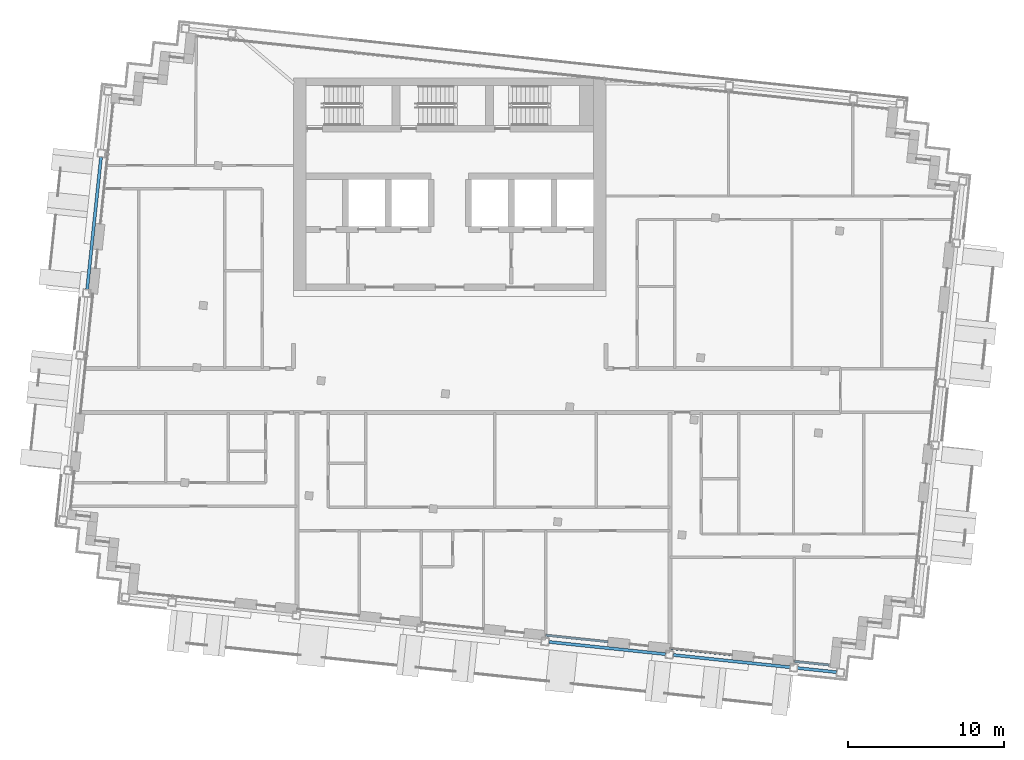
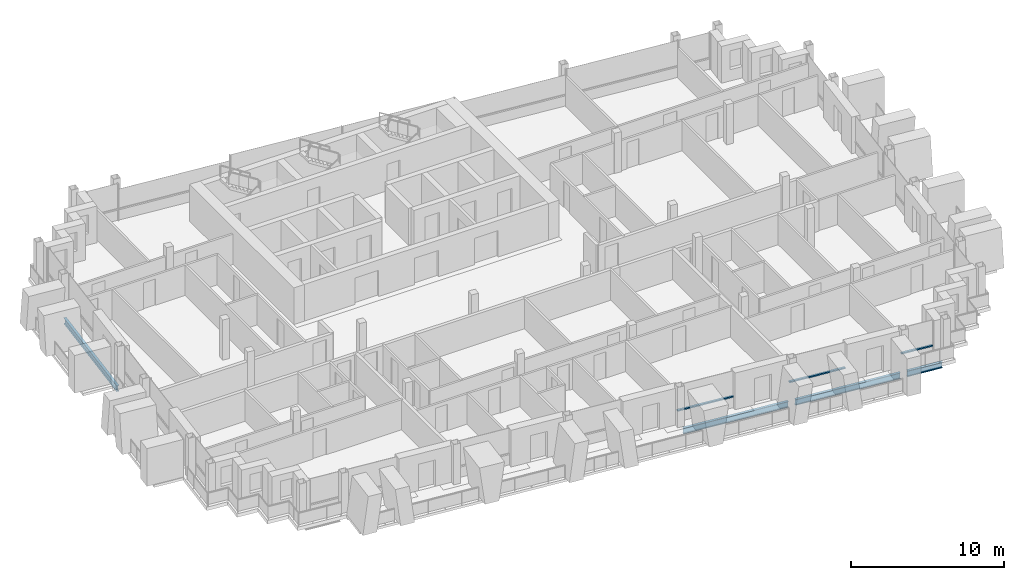
# One storey, part 3 of 16: 4 beams, 3 members, 3 elements without a shape of their own.
"""IFC4 building model written with IfcOpenShell, lengths in metres."""

from ifc_helpers import new_model, si_unit, direction, frame, origin, origin_2d, place, context, subcontext, project, spatial, rectangle, i_section, extrude, material, material_profile, profile_set, type_object, element, aggregate, save


model = new_model("IFC4")

# Units and contexts
model_context = context("Model", 3, precision=1e-05, world=origin(), true_north=direction((0.0, 1.0)))
body_context = subcontext(model_context, "Body", "Model", "MODEL_VIEW")
ifc_project = project(units=[si_unit("LENGTHUNIT", "METRE"), si_unit("AREAUNIT", "SQUARE_METRE"), si_unit("VOLUMEUNIT", "CUBIC_METRE"), si_unit("PLANEANGLEUNIT", "RADIAN"), si_unit("MASSUNIT", "GRAM", prefix="KILO")], contexts=[model_context])

# Site, building, storey
site_placement = place(None, origin())
site = spatial("IfcSite", under=ifc_project, at=site_placement, CompositionType="ELEMENT")
building_placement = place(site_placement, origin())
building = spatial("IfcBuilding", under=site, at=building_placement, Name="Vidyagriha Tower", CompositionType="ELEMENT")
storey_placement = place(building_placement, frame((0.0, 0.0, 253.10009765625)))
storey = spatial("IfcBuildingStorey", under=building, at=storey_placement, Name="L65", CompositionType="ELEMENT", Elevation=253.10009765625)

# Beams
ifc_material_1 = material(Name="Steel ASTM A992 Grade 50", Category="steel")
ifc_material_profile_1 = material_profile(ifc_material_1, i_section(OverallWidth=0.19189453125, OverallDepth=0.46240234375, WebThickness=0.010498046875, FlangeThickness=0.017578125, at=origin_2d()), Name="W18X60")
ifc_profile_set_1 = profile_set([ifc_material_profile_1], Name="Steel ASTM A992 Grade 50")
beam_type = type_object("IfcBeamType", Name="Edge beam W18X60", PredefinedType="SPANDREL", material=ifc_profile_set_1)
for number, where, z_axis, x_axis, name in (
    (1, (6.3486328125, -16.091064453125, -0.51123046875), (0.994522384662, -0.104523807841, 0.0), (0.104523807841, 0.994522384662, 0.0), "st-beam-L65-S05"),
    (2, (14.304931640625, -16.92724609375, -0.51123046875), (0.994522384662, -0.104523807841, 0.0), (0.104523807841, 0.994522384662, 0.0), "st-beam-L65-S06"),
):
    element("IfcBeam", number, at=place(storey_placement, frame(where, z_axis=z_axis, x_axis=x_axis)), inside=storey, type_object=beam_type, Name=name, PredefinedType="SPANDREL", context=body_context, shape_type="SweptSolid", body=[
        extrude(i_section(OverallWidth=0.19189453125, OverallDepth=0.46240234375, WebThickness=0.010498046875, FlangeThickness=0.017578125, at=origin_2d()), origin(), (0.0, 0.0, 1.0), 7.5),
    ])
beam_1_placement = place(storey_placement, frame((22.260986328125, -17.763427734375, -0.51123046875), z_axis=(0.994515615024, -0.104588199498, 0.0), x_axis=(0.104588199498, 0.994515615024, 0.0)))
element("IfcBeam", 3, at=beam_1_placement, inside=storey, type_object=beam_type, Name="st-beam-L65-S07", PredefinedType="SPANDREL", context=body_context, shape_type="SweptSolid", body=[
    extrude(i_section(OverallWidth=0.19189453125, OverallDepth=0.46240234375, WebThickness=0.010498046875, FlangeThickness=0.017578125, at=origin_2d()), origin(), (0.0, 0.0, 1.0), 2.5),
])
beam_2_placement = place(storey_placement, frame((-23.20458984375, 6.4716796875, -0.51123046875), z_axis=(0.104518825829, 0.994522908257, 0.0), x_axis=(-0.994522908257, 0.104518825829, 0.0)))
element("IfcBeam", 4, at=beam_2_placement, inside=storey, type_object=beam_type, Name="st-beam-L65-W11", PredefinedType="SPANDREL", context=body_context, shape_type="SweptSolid", body=[
    extrude(i_section(OverallWidth=0.19189453125, OverallDepth=0.46240234375, WebThickness=0.010498046875, FlangeThickness=0.017578125, at=origin_2d()), origin(), (0.0, 0.0, 1.0), 8.500244140625),
])

# Curtain wall, member
ifc_material_2 = material(Name="Aluminium and glass curtain wall", Category="aluminium")
curtain_wall_type = type_object("IfcCurtainWallType", Name="Dwelling skin unitised curtain wall", PredefinedType="USERDEFINED", material=ifc_material_2)
curtain_wall_1_placement = place(storey_placement, origin())
curtain_wall_1 = element("IfcCurtainWall", 5, at=curtain_wall_1_placement, inside=storey, type_object=curtain_wall_type, Name="CW1 dwelling skin", ObjectType="UNITISED", PredefinedType="USERDEFINED")
ifc_material_3 = material(Name="Aluminium black anodised", Category="aluminium")
ifc_material_profile_2 = material_profile(ifc_material_3, rectangle(XDim=0.159912109375, YDim=0.10009765625, at=origin_2d()), Name="Transom 100x160 black aluminium")
ifc_profile_set_2 = profile_set([ifc_material_profile_2], Name="Aluminium black anodised")
member_type = type_object("IfcMemberType", Name="Transom 100x160 black aluminium", PredefinedType="USERDEFINED", material=ifc_profile_set_2)
member_1_placement = place(storey_placement, frame((6.141845703125, -15.6669921875, 0.89990234375), z_axis=(0.99451982373, -0.104548171712, 0.0), x_axis=(0.104548171712, 0.99451982373, 0.0)))
member_1 = element("IfcMember", 6, at=member_1_placement, type_object=member_type, Name="CW1 transom 1.1", ObjectType="TRANSOM", PredefinedType="USERDEFINED", context=body_context, shape_type="SweptSolid", body=[
    extrude(rectangle(XDim=0.159912109375, YDim=0.10009765625, at=origin_2d()), origin(), (0.0, 0.0, 1.0), 4.000244140625),
])
aggregate(curtain_wall_1, [member_1])

curtain_wall_2_placement = place(storey_placement, origin())
curtain_wall_2 = element("IfcCurtainWall", 7, at=curtain_wall_2_placement, inside=storey, type_object=curtain_wall_type, Name="CW1 dwelling skin", ObjectType="UNITISED", PredefinedType="USERDEFINED")
member_2_placement = place(storey_placement, frame((14.09814453125, -16.50341796875, 0.89990234375), z_axis=(0.99452550138, -0.104494148666, 0.0), x_axis=(0.104494148666, 0.99452550138, 0.0)))
member_2 = element("IfcMember", 8, at=member_2_placement, type_object=member_type, Name="CW1 transom 1.1", ObjectType="TRANSOM", PredefinedType="USERDEFINED", context=body_context, shape_type="SweptSolid", body=[
    extrude(rectangle(XDim=0.159912109375, YDim=0.10009765625, at=origin_2d()), origin(), (0.0, 0.0, 1.0), 4.0),
])
aggregate(curtain_wall_2, [member_2])

curtain_wall_3_placement = place(storey_placement, origin())
curtain_wall_3 = element("IfcCurtainWall", 9, at=curtain_wall_3_placement, inside=storey, type_object=curtain_wall_type, Name="CW1 dwelling skin", ObjectType="UNITISED", PredefinedType="USERDEFINED")
member_3_placement = place(storey_placement, frame((22.05419921875, -17.339599609375, 0.89990234375), z_axis=(0.994530619876, -0.10444542177, 0.0), x_axis=(0.10444542177, 0.994530619876, 0.0)))
member_3 = element("IfcMember", 10, at=member_3_placement, type_object=member_type, Name="CW1 transom 1.1", ObjectType="TRANSOM", PredefinedType="USERDEFINED", context=body_context, shape_type="SweptSolid", body=[
    extrude(rectangle(XDim=0.159912109375, YDim=0.10009765625, at=origin_2d()), origin(), (0.0, 0.0, 1.0), 2.22998046875),
])
aggregate(curtain_wall_3, [member_3])

save(model, "model.ifc")
